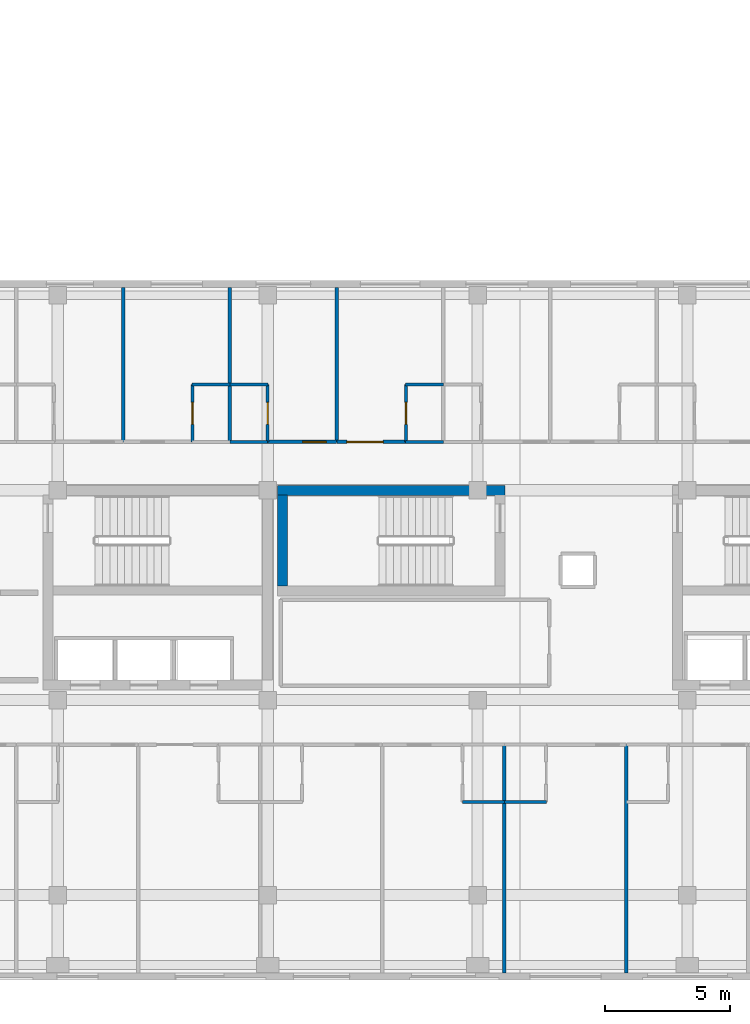
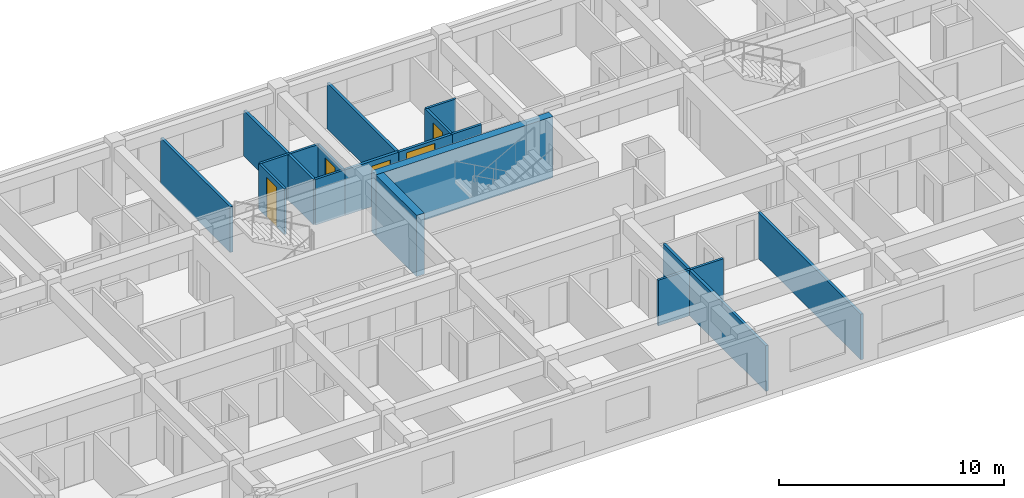
# One storey, part 133 of 144: 19 walls, 5 doors, 5 openings.
"""IFC4 building model written with IfcOpenShell, lengths in metres."""

from ifc_helpers import new_model, si_unit, direction, frame, frame_2d, origin, place, context, subcontext, project, spatial, rectangle, extrude, material, layer, layer_set, type_object, element, fill, save


model = new_model("IFC4")

# Units and contexts
model_context = context("Model", 3, precision=1e-05, world=origin(), true_north=direction((0.0, 1.0)))
body_context = subcontext(model_context, "Body", "Model", "MODEL_VIEW")
ifc_project = project(units=[si_unit("LENGTHUNIT", "METRE"), si_unit("AREAUNIT", "SQUARE_METRE"), si_unit("VOLUMEUNIT", "CUBIC_METRE"), si_unit("PLANEANGLEUNIT", "RADIAN"), si_unit("MASSUNIT", "GRAM", prefix="KILO")], contexts=[model_context])

# Site, building, storey
site_placement = place(None, origin())
site = spatial("IfcSite", under=ifc_project, at=site_placement, CompositionType="ELEMENT")
building_placement = place(site_placement, origin())
building = spatial("IfcBuilding", under=site, at=building_placement, Name="Zayran Congress Hotel", CompositionType="ELEMENT")
storey_placement = place(building_placement, frame((0.0, 0.0, 19.199951171875)))
storey = spatial("IfcBuildingStorey", under=building, at=storey_placement, Name="L04", CompositionType="ELEMENT", Elevation=19.199951171875)

# Walls
ifc_material_1 = material(Name="Concrete C40/50", Category="concrete")
ifc_layer_1 = layer(ifc_material_1, 0.39990234375)
ifc_layer_set_1 = layer_set([ifc_layer_1], Name="Concrete C40/50")
wall_type_1 = type_object("IfcWallType", Name="WL-SH-400", PredefinedType="SHEAR", material=ifc_layer_set_1)
wall_1_placement = place(storey_placement, frame((43.10009765625, 25.5849609375, 0.0), z_axis=(0.0, 0.0, 1.0), x_axis=(-1.0, 0.0, 0.0)))
element("IfcWall", 1, at=wall_1_placement, inside=storey, type_object=wall_type_1, Name="CWALL-C-V5M-L04-N", PredefinedType="SHEAR", context=body_context, shape_type="SweptSolid", body=[
    extrude(rectangle(XDim=9.10009765625, YDim=0.39990234375, at=frame_2d((4.550048828125, 0.0))), origin(), (0.0, 0.0, 1.0), 3.320068359375),
])
wall_2_placement = place(storey_placement, frame((34.199951171875, 25.39990234375, 0.0), z_axis=(0.0, 0.0, 1.0), x_axis=(0.0, -1.0, 0.0)))
element("IfcWall", 2, at=wall_2_placement, inside=storey, type_object=wall_type_1, Name="CWALL-C-V5M-L04-W", PredefinedType="SHEAR", context=body_context, shape_type="SweptSolid", body=[
    extrude(rectangle(XDim=3.639892578125, YDim=0.39990234375, at=frame_2d((1.81982421875, 0.0))), origin(), (0.0, 0.0, 1.0), 3.320068359375),
])

# Wall, opening, door
ifc_material_2 = material(Name="Hospitality guestroom acoustic partition", Category="gypsum")
ifc_layer_2 = layer(ifc_material_2, 0.139892578125)
ifc_layer_set_2 = layer_set([ifc_layer_2], Name="Hospitality guestroom acoustic partition")
wall_type_2 = type_object("IfcWallType", Name="WL-PT-140", PredefinedType="PARTITIONING", material=ifc_layer_set_2)
wall_3_placement = place(storey_placement, frame((33.60205078125, 27.530029296875, 0.0), z_axis=(0.0, 0.0, 1.0), x_axis=(1.0, 0.0, 0.0)))
wall_3 = element("IfcWall", 3, at=wall_3_placement, inside=storey, type_object=wall_type_2, Name="IW-L04-0640", PredefinedType="PARTITIONING", context=body_context, shape_type="SweptSolid", body=[
    extrude(rectangle(XDim=2.7548828125, YDim=0.139892578125, at=frame_2d((1.37744140625, 0.0))), origin(), (0.0, 0.0, 1.0), 2.47998046875),
])
opening_1_placement = place(wall_3_placement, frame((1.40087890625, 0.0, 0.0)))
opening_1 = element("IfcOpeningElement", 4, at=opening_1_placement, cuts=wall_3, Name="Opening DR-GR-01", PredefinedType="OPENING", context=body_context, shape_type="SweptSolid", body=[
    extrude(rectangle(XDim=0.93994140625, YDim=2.199951171875, at=frame_2d((0.469970703125, 1.10009765625))), frame((0.0, 0.079833984375, 0.0), z_axis=(0.0, -1.0, 0.0), x_axis=(1.0, 0.0, 0.0)), (0.0, 0.0, 1.0), 0.159912109375),
])
ifc_material_3 = material(Name="Acoustic walnut veneer fire-rated entry door", Category="wood")
door_type_1 = type_object("IfcDoorType", Name="TP-DR-GR-01", OperationType="NOTDEFINED", PredefinedType="DOOR", material=ifc_material_3)
door_1_placement = place(opening_1_placement, origin())
door_1 = element("IfcDoor", 5, at=door_1_placement, inside=storey, type_object=door_type_1, Name="Guest Room L04-21 Door", OperationType="SINGLE_SWING_LEFT", OverallHeight=2.199951171875, OverallWidth=0.93994140625, PredefinedType="DOOR", context=body_context, shape_type="SweptSolid", body=[
    extrude(rectangle(XDim=0.93994140625, YDim=2.199951171875, at=frame_2d((0.469970703125, 1.10009765625))), frame((0.0, 0.02490234375, 0.0), z_axis=(0.0, -1.0, 0.0), x_axis=(1.0, 0.0, 0.0)), (0.0, 0.0, 1.0), 0.050048828125),
])
fill(opening_1, door_1)

wall_4_placement = place(storey_placement, frame((36.376953125, 27.530029296875, 0.0), z_axis=(0.0, 0.0, 1.0), x_axis=(1.0, 0.0, 0.0)))
wall_4 = element("IfcWall", 6, at=wall_4_placement, inside=storey, type_object=wall_type_2, Name="IW-L04-0641", PredefinedType="PARTITIONING", context=body_context, shape_type="SweptSolid", body=[
    extrude(rectangle(XDim=2.755126953125, YDim=0.139892578125, at=frame_2d((1.37744140625, 0.0))), origin(), (0.0, 0.0, 1.0), 2.47998046875),
])
opening_2_placement = place(wall_4_placement, frame((0.39599609375, 0.0, 0.0)))
opening_2 = element("IfcOpeningElement", 7, at=opening_2_placement, cuts=wall_4, Name="Opening DR-ST-01", PredefinedType="OPENING", context=body_context, shape_type="SweptSolid", body=[
    extrude(rectangle(XDim=1.449951171875, YDim=2.300048828125, at=frame_2d((0.72509765625, 1.14990234375))), frame((0.0, 0.079833984375, 0.0), z_axis=(0.0, -1.0, 0.0), x_axis=(1.0, 0.0, 0.0)), (0.0, 0.0, 1.0), 0.159912109375),
])
ifc_material_4 = material(Name="Double walnut veneer suite entry door", Category="wood")
door_type_2 = type_object("IfcDoorType", Name="TP-DR-ST-01", OperationType="DOUBLE_DOOR_SINGLE_SWING", PredefinedType="DOOR", material=ifc_material_4)
door_2_placement = place(opening_2_placement, origin())
door_2 = element("IfcDoor", 8, at=door_2_placement, inside=storey, type_object=door_type_2, Name="Executive Suite L04-22 Door", OperationType="DOUBLE_DOOR_SINGLE_SWING", OverallHeight=2.300048828125, OverallWidth=1.449951171875, PredefinedType="DOOR", context=body_context, shape_type="SweptSolid", body=[
    extrude(rectangle(XDim=1.449951171875, YDim=2.300048828125, at=frame_2d((0.72509765625, 1.14990234375))), frame((0.0, 0.02490234375, 0.0), z_axis=(0.0, -1.0, 0.0), x_axis=(1.0, 0.0, 0.0)), (0.0, 0.0, 1.0), 0.050048828125),
])
fill(opening_2, door_2)

# Walls
for number, where, z_axis, x_axis, name in (
    (9, (43.06591796875, 6.280029296875, 0.0), (0.0, 0.0, 1.0), (0.0, 1.0, 0.0), "IW-L04-1950"),
    (10, (47.948974609375, 6.280029296875, 0.0), (0.0, 0.0, 1.0), (0.0, 1.0, 0.0), "IW-L04-1951"),
):
    element("IfcWall", number, at=place(storey_placement, frame(where, z_axis=z_axis, x_axis=x_axis)), inside=storey, type_object=wall_type_2, Name=name, PredefinedType="PARTITIONING", context=body_context, shape_type="SweptSolid", body=[
        extrude(rectangle(XDim=9.14990234375, YDim=0.139892578125, at=frame_2d((4.574951171875, 0.0))), origin(), (0.0, 0.0, 1.0), 2.47998046875),
    ])
for number, where, z_axis, x_axis, name in (
    (11, (27.81396484375, 27.52001953125, 0.0), (0.0, 0.0, 1.0), (0.0, 1.0, 0.0), "IW-L04-1963"),
    (12, (32.0849609375, 27.52001953125, 0.0), (0.0, 0.0, 1.0), (0.0, 1.0, 0.0), "IW-L04-1964"),
    (13, (36.35693359375, 27.52001953125, 0.0), (0.0, 0.0, 1.0), (0.0, 1.0, 0.0), "IW-L04-1965"),
):
    element("IfcWall", number, at=place(storey_placement, frame(where, z_axis=z_axis, x_axis=x_axis)), inside=storey, type_object=wall_type_2, Name=name, PredefinedType="PARTITIONING", context=body_context, shape_type="SweptSolid", body=[
        extrude(rectangle(XDim=6.199951171875, YDim=0.139892578125, at=frame_2d((3.10009765625, 0.0))), origin(), (0.0, 0.0, 1.0), 2.47998046875),
    ])

# Wall, opening, door
ifc_material_5 = material(Name="Moisture-resistant bathroom partition", Category="gypsum")
ifc_layer_3 = layer(ifc_material_5, 0.1201171875)
ifc_layer_set_3 = layer_set([ifc_layer_3], Name="Moisture-resistant bathroom partition")
wall_type_3 = type_object("IfcWallType", Name="WL-PT-120", PredefinedType="PARTITIONING", material=ifc_layer_set_3)
wall_5_placement = place(storey_placement, frame((30.587890625, 27.52001953125, 0.0), z_axis=(0.0, 0.0, 1.0), x_axis=(0.0, 1.0, 0.0)))
wall_5 = element("IfcWall", 14, at=wall_5_placement, inside=storey, type_object=wall_type_3, Name="IW-L04-0146", PredefinedType="PARTITIONING", context=body_context, shape_type="SweptSolid", body=[
    extrude(rectangle(XDim=2.31005859375, YDim=0.1201171875, at=frame_2d((1.155029296875, 0.0))), origin(), (0.0, 0.0, 1.0), 2.47998046875),
])
opening_3_placement = place(wall_5_placement, frame((0.715087890625, 0.0, 0.0)))
opening_3 = element("IfcOpeningElement", 15, at=opening_3_placement, cuts=wall_5, Name="Opening DR-BT-01", PredefinedType="OPENING", context=body_context, shape_type="SweptSolid", body=[
    extrude(rectangle(XDim=0.8798828125, YDim=2.14990234375, at=frame_2d((0.43994140625, 1.074951171875))), frame((0.0, 0.070068359375, 0.0), z_axis=(0.0, -1.0, 0.0), x_axis=(1.0, 0.0, 0.0)), (0.0, 0.0, 1.0), 0.14013671875),
])
ifc_material_6 = material(Name="Moisture-resistant oak en-suite door", Category="wood")
door_type_3 = type_object("IfcDoorType", Name="TP-DR-BT-01", OperationType="NOTDEFINED", PredefinedType="DOOR", material=ifc_material_6)
door_3_placement = place(opening_3_placement, origin())
door_3 = element("IfcDoor", 16, at=door_3_placement, inside=storey, type_object=door_type_3, Name="En-Suite Bathroom L04-20 Door", OperationType="SINGLE_SWING_LEFT", OverallHeight=2.14990234375, OverallWidth=0.8798828125, PredefinedType="DOOR", context=body_context, shape_type="SweptSolid", body=[
    extrude(rectangle(XDim=0.8798828125, YDim=2.14990234375, at=frame_2d((0.43994140625, 1.074951171875))), frame((0.0, 0.02490234375, 0.0), z_axis=(0.0, -1.0, 0.0), x_axis=(1.0, 0.0, 0.0)), (0.0, 0.0, 1.0), 0.050048828125),
])
fill(opening_3, door_3)

wall_6_placement = place(storey_placement, frame((33.60205078125, 27.52001953125, 0.0), z_axis=(0.0, 0.0, 1.0), x_axis=(0.0, 1.0, 0.0)))
wall_6 = element("IfcWall", 17, at=wall_6_placement, inside=storey, type_object=wall_type_3, Name="IW-L04-0147", PredefinedType="PARTITIONING", context=body_context, shape_type="SweptSolid", body=[
    extrude(rectangle(XDim=2.31005859375, YDim=0.1201171875, at=frame_2d((1.155029296875, 0.0))), origin(), (0.0, 0.0, 1.0), 2.47998046875),
])
opening_4_placement = place(wall_6_placement, frame((0.715087890625, 0.0, 0.0)))
opening_4 = element("IfcOpeningElement", 18, at=opening_4_placement, cuts=wall_6, Name="Opening DR-BT-01", PredefinedType="OPENING", context=body_context, shape_type="SweptSolid", body=[
    extrude(rectangle(XDim=0.8798828125, YDim=2.14990234375, at=frame_2d((0.43994140625, 1.074951171875))), frame((0.0, 0.070068359375, 0.0), z_axis=(0.0, -1.0, 0.0), x_axis=(1.0, 0.0, 0.0)), (0.0, 0.0, 1.0), 0.14013671875),
])
door_4_placement = place(opening_4_placement, origin())
door_4 = element("IfcDoor", 19, at=door_4_placement, inside=storey, type_object=door_type_3, Name="En-Suite Bathroom L04-21 Door", OperationType="SINGLE_SWING_RIGHT", OverallHeight=2.14990234375, OverallWidth=0.8798828125, PredefinedType="DOOR", context=body_context, shape_type="SweptSolid", body=[
    extrude(rectangle(XDim=0.8798828125, YDim=2.14990234375, at=frame_2d((0.43994140625, 1.074951171875))), frame((0.0, 0.02490234375, 0.0), z_axis=(0.0, -1.0, 0.0), x_axis=(1.0, 0.0, 0.0)), (0.0, 0.0, 1.0), 0.050048828125),
])
fill(opening_4, door_4)

wall_7_placement = place(storey_placement, frame((39.132080078125, 27.52001953125, 0.0), z_axis=(0.0, 0.0, 1.0), x_axis=(0.0, 1.0, 0.0)))
wall_7 = element("IfcWall", 20, at=wall_7_placement, inside=storey, type_object=wall_type_3, Name="IW-L04-0148", PredefinedType="PARTITIONING", context=body_context, shape_type="SweptSolid", body=[
    extrude(rectangle(XDim=2.31005859375, YDim=0.1201171875, at=frame_2d((1.155029296875, 0.0))), origin(), (0.0, 0.0, 1.0), 2.47998046875),
])
opening_5_placement = place(wall_7_placement, frame((0.715087890625, 0.0, 0.0)))
opening_5 = element("IfcOpeningElement", 21, at=opening_5_placement, cuts=wall_7, Name="Opening DR-BT-01", PredefinedType="OPENING", context=body_context, shape_type="SweptSolid", body=[
    extrude(rectangle(XDim=0.8798828125, YDim=2.14990234375, at=frame_2d((0.43994140625, 1.074951171875))), frame((0.0, 0.070068359375, 0.0), z_axis=(0.0, -1.0, 0.0), x_axis=(1.0, 0.0, 0.0)), (0.0, 0.0, 1.0), 0.14013671875),
])
door_5_placement = place(opening_5_placement, origin())
door_5 = element("IfcDoor", 22, at=door_5_placement, inside=storey, type_object=door_type_3, Name="En-Suite Bathroom L04-22 Door", OperationType="SINGLE_SWING_LEFT", OverallHeight=2.14990234375, OverallWidth=0.8798828125, PredefinedType="DOOR", context=body_context, shape_type="SweptSolid", body=[
    extrude(rectangle(XDim=0.8798828125, YDim=2.14990234375, at=frame_2d((0.43994140625, 1.074951171875))), frame((0.0, 0.02490234375, 0.0), z_axis=(0.0, -1.0, 0.0), x_axis=(1.0, 0.0, 0.0)), (0.0, 0.0, 1.0), 0.050048828125),
])
fill(opening_5, door_5)

# Walls
wall_8_placement = place(storey_placement, frame((41.39599609375, 13.1298828125, 0.0), z_axis=(0.0, 0.0, 1.0), x_axis=(1.0, 0.0, 0.0)))
element("IfcWall", 23, at=wall_8_placement, inside=storey, type_object=wall_type_3, Name="IW-L04-1133", PredefinedType="PARTITIONING", context=body_context, shape_type="SweptSolid", body=[
    extrude(rectangle(XDim=1.679931640625, YDim=0.1201171875, at=frame_2d((0.83984375, 0.0))), origin(), (0.0, 0.0, 1.0), 2.47998046875),
])
wall_9_placement = place(storey_placement, frame((43.075927734375, 13.1298828125, 0.0), z_axis=(0.0, 0.0, 1.0), x_axis=(1.0, 0.0, 0.0)))
element("IfcWall", 24, at=wall_9_placement, inside=storey, type_object=wall_type_3, Name="IW-L04-1135", PredefinedType="PARTITIONING", context=body_context, shape_type="SweptSolid", body=[
    extrude(rectangle(XDim=1.68017578125, YDim=0.1201171875, at=frame_2d((0.840087890625, 0.0))), origin(), (0.0, 0.0, 1.0), 2.47998046875),
])
wall_10_placement = place(storey_placement, frame((30.577880859375, 29.820068359375, 0.0), z_axis=(0.0, 0.0, 1.0), x_axis=(1.0, 0.0, 0.0)))
element("IfcWall", 25, at=wall_10_placement, inside=storey, type_object=wall_type_3, Name="IW-L04-1160", PredefinedType="PARTITIONING", context=body_context, shape_type="SweptSolid", body=[
    extrude(rectangle(XDim=1.51708984375, YDim=0.1201171875, at=frame_2d((0.758544921875, 0.0))), origin(), (0.0, 0.0, 1.0), 2.47998046875),
])
wall_11_placement = place(storey_placement, frame((32.094970703125, 27.530029296875, 0.0), z_axis=(0.0, 0.0, 1.0), x_axis=(1.0, 0.0, 0.0)))
element("IfcWall", 26, at=wall_11_placement, inside=storey, type_object=wall_type_3, Name="IW-L04-1161", PredefinedType="PARTITIONING", context=body_context, shape_type="SweptSolid", body=[
    extrude(rectangle(XDim=1.507080078125, YDim=0.1201171875, at=frame_2d((0.75341796875, 0.0))), origin(), (0.0, 0.0, 1.0), 2.47998046875),
])
wall_12_placement = place(storey_placement, frame((32.094970703125, 29.820068359375, 0.0), z_axis=(0.0, 0.0, 1.0), x_axis=(1.0, 0.0, 0.0)))
element("IfcWall", 27, at=wall_12_placement, inside=storey, type_object=wall_type_3, Name="IW-L04-1162", PredefinedType="PARTITIONING", context=body_context, shape_type="SweptSolid", body=[
    extrude(rectangle(XDim=1.51708984375, YDim=0.1201171875, at=frame_2d((0.758544921875, 0.0))), origin(), (0.0, 0.0, 1.0), 2.47998046875),
])
for number, where, z_axis, x_axis, name in (
    (28, (39.1220703125, 27.530029296875, 0.0), (0.0, 0.0, 1.0), (1.0, 0.0, 0.0), "IW-L04-1163"),
    (29, (39.1220703125, 29.820068359375, 0.0), (0.0, 0.0, 1.0), (1.0, 0.0, 0.0), "IW-L04-1164"),
):
    element("IfcWall", number, at=place(storey_placement, frame(where, z_axis=z_axis, x_axis=x_axis)), inside=storey, type_object=wall_type_3, Name=name, PredefinedType="PARTITIONING", context=body_context, shape_type="SweptSolid", body=[
        extrude(rectangle(XDim=1.516845703125, YDim=0.1201171875, at=frame_2d((0.75830078125, 0.0))), origin(), (0.0, 0.0, 1.0), 2.47998046875),
    ])

save(model, "model.ifc")
